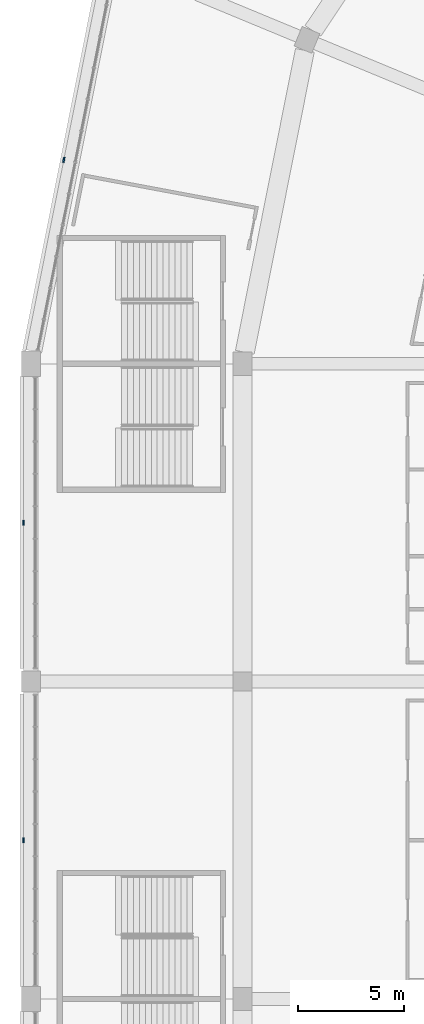
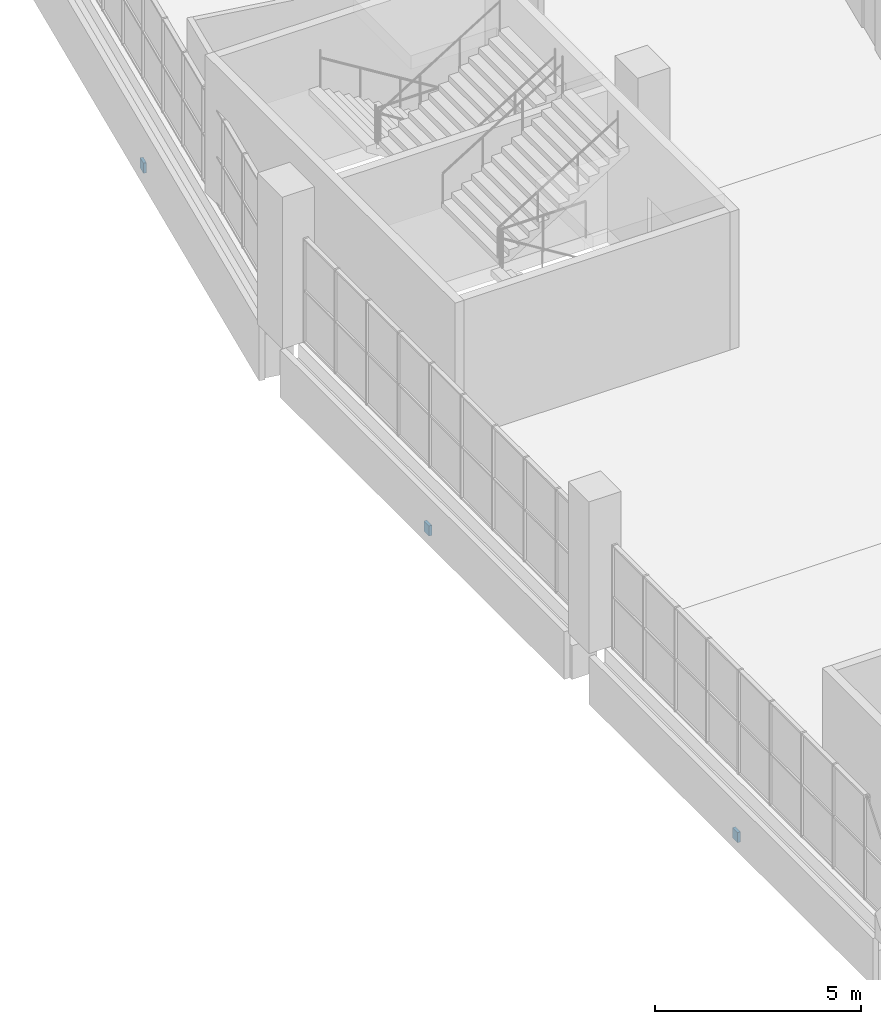
# One storey, part 99 of 199: 3 discrete accessories.
"""IFC4 building model written with IfcOpenShell, lengths in metres."""

import ifcopenshell
import ifcopenshell.guid

model = None  # the IFC model being written
_history = None  # IfcOwnerHistory: only IFC2X3 demands one
_inside = {}  # id of a spatial element -> (the spatial element, [elements in it])
_under = {}  # id of a project, library or spatial element -> (it, [spatial elements below it])
_declared = {}  # id of a project -> (the project, [libraries it declares])
_typed = {}  # id of a type object -> (the type object, [elements of that type])
_made_of = {}  # id of a material, layer set ... -> (it, [elements and type objects made of it])


def new_model(schema):
    """Start an empty IFC model of exactly this schema.

    Asked for "IFC4X3", IfcOpenShell would pick the latest addendum, in which some entities
    have other attributes; the version numbers below select the first issue.
    IFC2X3 requires an IfcOwnerHistory on every rooted entity: one is made here for all.
    """
    global model, _history
    if schema == "IFC4X3":
        model = ifcopenshell.file(schema_version=(4, 3, 0, 0))
    else:
        model = ifcopenshell.file(schema=schema)
    _inside.clear()
    _under.clear()
    _declared.clear()
    _typed.clear()
    _made_of.clear()
    _history = None
    if model.schema == "IFC2X3":
        org = make("IfcOrganization", Name="unknown")
        user = make(
            "IfcPersonAndOrganization",
            ThePerson=make("IfcPerson", FamilyName="unknown"),
            TheOrganization=org,
        )
        app = make(
            "IfcApplication",
            ApplicationDeveloper=org,
            Version="unknown",
            ApplicationFullName="unknown",
            ApplicationIdentifier="unknown",
        )
        _history = make(
            "IfcOwnerHistory",
            OwningUser=user,
            OwningApplication=app,
            ChangeAction="ADDED",
            CreationDate=0,
        )
    return model


def make(cls, **values):
    """One entity of the class cls with the attributes given. An attribute that is None is left unset."""
    return model.create_entity(
        cls, **{name: value for name, value in values.items() if value is not None}
    )


def rooted(cls, **values):
    """An entity with a GlobalId (a new one), such as an element, a storey or a relation."""
    return make(cls, GlobalId=ifcopenshell.guid.new(), OwnerHistory=_history, **values)


def si_unit(unit_type, name, prefix=None):
    """IfcSIUnit, for example si_unit("LENGTHUNIT", "METRE", prefix="MILLI")."""
    return make("IfcSIUnit", UnitType=unit_type, Prefix=prefix, Name=name)


def assignment(units):
    """IfcUnitAssignment: the units of a project."""
    return None if units is None else make("IfcUnitAssignment", Units=units)


def point(xyz):
    """IfcCartesianPoint."""
    return None if xyz is None else make("IfcCartesianPoint", Coordinates=xyz)


def direction(xyz):
    """IfcDirection."""
    return None if xyz is None else make("IfcDirection", DirectionRatios=xyz)


def frame(location, z_axis=None, x_axis=None):
    """IfcAxis2Placement3D, a coordinate frame: its origin and axes. An axis left out is left unset."""
    return make(
        "IfcAxis2Placement3D",
        Location=point(location),
        Axis=direction(z_axis),
        RefDirection=direction(x_axis),
    )


def frame_2d(location, x_axis=None):
    """IfcAxis2Placement2D, a coordinate frame in the plane: its origin and x axis."""
    return make(
        "IfcAxis2Placement2D", Location=point(location), RefDirection=direction(x_axis)
    )


def origin():
    """The frame at (0, 0, 0) with its axes left unset."""
    return frame((0.0, 0.0, 0.0))


def origin_2d():
    """The frame at (0, 0) in the plane with its x axis left unset."""
    return frame_2d((0.0, 0.0))


def place(relative_to, where):
    """IfcLocalPlacement: puts the frame where relative to a parent placement (None: the world)."""
    return make(
        "IfcLocalPlacement", PlacementRelTo=relative_to, RelativePlacement=where
    )


def context(
    kind, dimensions, precision=None, world=None, true_north=None, identifier=None
):
    """IfcGeometricRepresentationContext, for example the 3D "Model" context."""
    return make(
        "IfcGeometricRepresentationContext",
        ContextIdentifier=identifier,
        ContextType=kind,
        CoordinateSpaceDimension=dimensions,
        Precision=precision,
        WorldCoordinateSystem=world,
        TrueNorth=true_north,
    )


def subcontext(parent, identifier, kind, view, scale=None):
    """IfcGeometricRepresentationSubContext, for example "Body" below "Model"."""
    return make(
        "IfcGeometricRepresentationSubContext",
        ContextIdentifier=identifier,
        ContextType=kind,
        ParentContext=parent,
        TargetScale=scale,
        TargetView=view,
    )


def project(units=None, contexts=None):
    """IfcProject with its units and contexts."""
    return rooted(
        "IfcProject",
        Name="project",
        RepresentationContexts=contexts,
        UnitsInContext=assignment(units),
    )


def spatial(cls, under=None, at=None, **own):
    """A site, building, storey or space (cls), placed at a placement, below another one or the project."""
    s = rooted(cls, ObjectPlacement=at, **own)
    if under is not None:
        _under.setdefault(under.id(), (under, []))[1].append(s)
    return s


def profile(cls, at=None, kind="AREA", **sizes):
    """A parametric profile (cls). Its sizes go by their IFC names, for example OverallWidth=200.0."""
    return make(cls, ProfileType=kind, Position=at, **sizes)


def rectangle(**sizes):
    """IfcRectangleProfileDef."""
    return profile("IfcRectangleProfileDef", **sizes)


def extrude(swept, where, along, depth):
    """IfcExtrudedAreaSolid: the profile swept, set in the frame where, extruded along a direction by depth."""
    return make(
        "IfcExtrudedAreaSolid",
        SweptArea=swept,
        Position=where,
        ExtrudedDirection=direction(along),
        Depth=depth,
    )


def shape(context_of_items, identifier, shape_type, items):
    """IfcShapeRepresentation: the items that make up one representation, for example the "Body"."""
    return make(
        "IfcShapeRepresentation",
        ContextOfItems=context_of_items,
        RepresentationIdentifier=identifier,
        RepresentationType=shape_type,
        Items=items,
    )


def material(Name=None, Category=None):
    """IfcMaterial."""
    return make("IfcMaterial", Name=Name, Category=Category)


def layer(
    of_material, thickness, ventilated=None, Name=None, Category=None, Priority=None
):
    """IfcMaterialLayer: one layer of a wall or slab, of a material (None: an air gap)."""
    return make(
        "IfcMaterialLayer",
        Material=of_material,
        LayerThickness=thickness,
        IsVentilated=ventilated,
        Name=Name,
        Category=Category,
        Priority=Priority,
    )


def layer_set(layers, Name=None):
    """IfcMaterialLayerSet."""
    return make("IfcMaterialLayerSet", MaterialLayers=layers, LayerSetName=Name)


def made_of(thing, what):
    """Note that an element or type object is made of a material, layer set ...; save() writes the relation."""
    if what is not None:
        _made_of.setdefault(what.id(), (what, []))[1].append(thing)
    return thing


def type_object(cls, material=None, **own):
    """A type object (cls), such as IfcWallType, which elements share."""
    return made_of(rooted(cls, **own), material)


def element(
    cls,
    number,
    at=None,
    inside=None,
    cuts=None,
    type_object=None,
    material=None,
    context=None,
    identifier="Body",
    shape_type=None,
    held_by="IfcProductDefinitionShape",
    body=None,
    shapes=None,
    **own,
):
    """One element of the class cls, such as IfcWall. Its Tag is "e" and its number.

    at: its placement. inside: the storey or other place that contains it. cuts: it is an
    opening in that element (IfcRelVoidsElement). A single representation is given by context,
    identifier, shape_type and body (its items); several are given by shapes. held_by: the class
    of the entity that holds the representations. save() writes the other relations.
    """
    e = rooted(cls, Tag="e%d" % number, ObjectPlacement=at, **own)
    if body is not None:
        shapes = [shape(context, identifier, shape_type, body)]
    if shapes is not None:
        e.Representation = make(held_by, Representations=shapes)
    if inside is not None:
        _inside.setdefault(inside.id(), (inside, []))[1].append(e)
    if cuts is not None:
        rooted(
            "IfcRelVoidsElement", RelatingBuildingElement=cuts, RelatedOpeningElement=e
        )
    if type_object is not None:
        _typed.setdefault(type_object.id(), (type_object, []))[1].append(e)
    return made_of(e, material)


def aggregate(whole, parts):
    """IfcRelAggregates: a whole, such as a stair, and the parts it consists of."""
    return rooted("IfcRelAggregates", RelatingObject=whole, RelatedObjects=parts)


def save(model, path):
    """Write the relations noted so far, then the file.

    IfcRelAggregates (storeys below a building ...), IfcRelContainedInSpatialStructure (elements
    in a storey), IfcRelDefinesByType, IfcRelAssociatesMaterial and IfcRelDeclares: one each for
    every whole, place, type object, material and project.
    """
    for whole, parts in _under.values():
        aggregate(whole, parts)
    for where, things in _inside.values():
        rooted(
            "IfcRelContainedInSpatialStructure",
            RelatedElements=things,
            RelatingStructure=where,
        )
    for kind, things in _typed.values():
        rooted("IfcRelDefinesByType", RelatedObjects=things, RelatingType=kind)
    for what, things in _made_of.values():
        rooted("IfcRelAssociatesMaterial", RelatedObjects=things, RelatingMaterial=what)
    for by, libraries in _declared.values():
        rooted("IfcRelDeclares", RelatingContext=by, RelatedDefinitions=libraries)
    model.write(path)


model = new_model("IFC4")

# Units and contexts
model_context = context("Model", 3, precision=1e-05, world=origin(), true_north=direction((0.0, 1.0)))
body_context = subcontext(model_context, "Body", "Model", "MODEL_VIEW")
ifc_project = project(units=[si_unit("LENGTHUNIT", "METRE"), si_unit("AREAUNIT", "SQUARE_METRE"), si_unit("VOLUMEUNIT", "CUBIC_METRE"), si_unit("PLANEANGLEUNIT", "RADIAN"), si_unit("MASSUNIT", "GRAM", prefix="KILO")], contexts=[model_context])

# Site, building, storey
site_placement = place(None, origin())
site = spatial("IfcSite", under=ifc_project, at=site_placement, CompositionType="ELEMENT")
building_placement = place(site_placement, origin())
building = spatial("IfcBuilding", under=site, at=building_placement, Name="Ogive Plaza Stadium", CompositionType="ELEMENT")
storey_placement = place(building_placement, frame((0.0, 0.0, 4.5)))
storey = spatial("IfcBuildingStorey", under=building, at=storey_placement, Name="L01", CompositionType="ELEMENT", Elevation=4.5)

# Discrete accessories
ifc_material = material(Name="Steel ASTM A572 Grade 50", Category="steel")
ifc_layer = layer(ifc_material, 0.080078125)
ifc_layer_set = layer_set([ifc_layer], Name="Steel ASTM A572 Grade 50")
discrete_accessory_type = type_object("IfcDiscreteAccessoryType", Name="Spandrel cladding bracket 250x300", PredefinedType="BRACKET", material=ifc_layer_set)
for number, where, z_axis, x_axis, name in (
    (1, (-84.35009765625, 30.0, -1.31005859375), (0.0, 0.0, 1.0), (0.0, 1.0, 0.0), "SPANDREL BRACKET B26 L01"),
    (2, (-84.35009765625, 45.0, -1.31005859375), (0.0, 0.0, 1.0), (0.0, 1.0, 0.0), "SPANDREL BRACKET B27 L01"),
    (3, (-82.440185546875, 62.135498046875, -1.60986328125), (0.0, 0.0, 1.0), (0.195090322016, 0.980785280403, 0.0), "SPANDREL BRACKET B28 L01"),
):
    element("IfcDiscreteAccessory", number, at=place(storey_placement, frame(where, z_axis=z_axis, x_axis=x_axis)), inside=storey, type_object=discrete_accessory_type, Name=name, PredefinedType="BRACKET", context=body_context, shape_type="SweptSolid", body=[
        extrude(rectangle(XDim=0.25, YDim=0.080078125, at=origin_2d()), origin(), (0.0, 0.0, 1.0), 0.300048828125),
    ])

save(model, "model.ifc")
